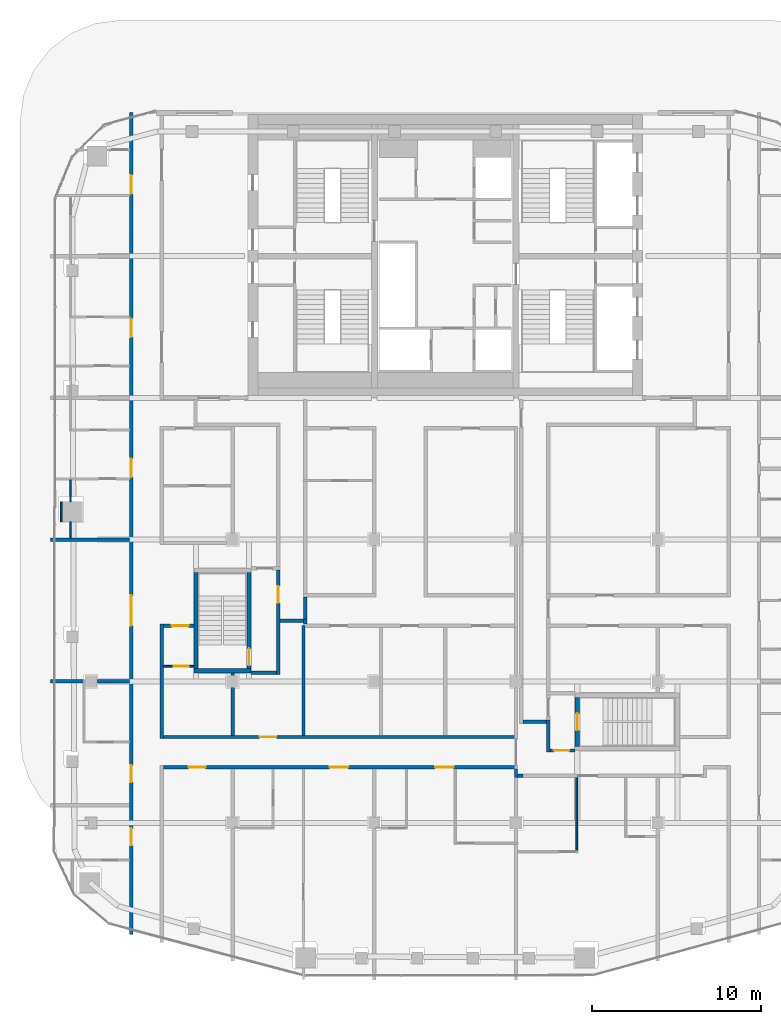
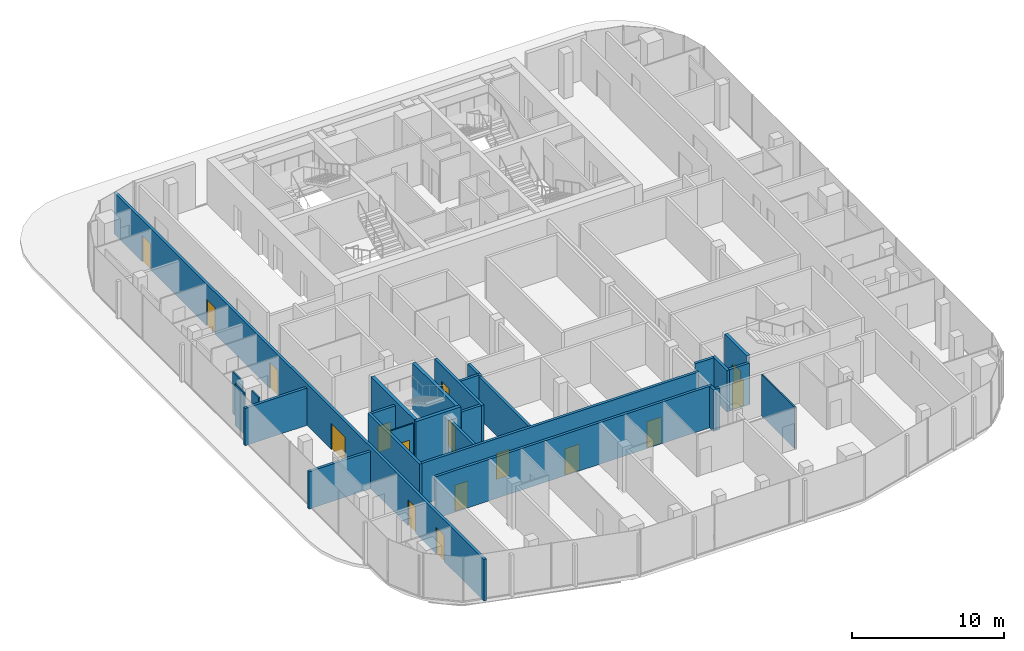
# One storey, part 14 of 21: 28 walls, 16 doors, 16 openings.
"""IFC4 building model written with IfcOpenShell, lengths in metres."""

from ifc_helpers import new_model, si_unit, direction, frame, frame_2d, origin, place, context, subcontext, project, spatial, rectangle, extrude, material, layer, layer_set, type_object, element, fill, save


model = new_model("IFC4")

# Units and contexts
model_context = context("Model", 3, precision=1e-05, world=origin(), true_north=direction((0.0, 1.0)))
body_context = subcontext(model_context, "Body", "Model", "MODEL_VIEW")
ifc_project = project(units=[si_unit("LENGTHUNIT", "METRE"), si_unit("AREAUNIT", "SQUARE_METRE"), si_unit("VOLUMEUNIT", "CUBIC_METRE"), si_unit("PLANEANGLEUNIT", "RADIAN"), si_unit("MASSUNIT", "GRAM", prefix="KILO")], contexts=[model_context])

# Site, building, storey
site_placement = place(None, origin())
site = spatial("IfcSite", under=ifc_project, at=site_placement, CompositionType="ELEMENT")
building_placement = place(site_placement, origin())
building = spatial("IfcBuilding", under=site, at=building_placement, Name="Marenta Gate Hotel Tower", CompositionType="ELEMENT")
storey_placement = place(building_placement, frame((0.0, 0.0, 266.89990234375)))
storey = spatial("IfcBuildingStorey", under=building, at=storey_placement, Name="L61", CompositionType="ELEMENT", Elevation=266.89990234375)

# Wall
ifc_material_1 = material(Name="Concrete blockwork", Category="masonry")
ifc_layer_1 = layer(ifc_material_1, 0.199951171875)
ifc_layer_set_1 = layer_set([ifc_layer_1], Name="Concrete blockwork")
wall_type_1 = type_object("IfcWallType", Name="Compartment wall 200 REI 180", PredefinedType="PARTITIONING", material=ifc_layer_set_1)
wall_1_placement = place(storey_placement, frame((4.199951171875, -22.5, 0.0), z_axis=(0.0, 0.0, 1.0), x_axis=(0.0, 1.0, 0.0)))
element("IfcWall", 1, at=wall_1_placement, inside=storey, type_object=wall_type_1, Name="L61-PTN-W065", PredefinedType="PARTITIONING", context=body_context, shape_type="SweptSolid", body=[
    extrude(rectangle(XDim=0.5, YDim=0.199951171875, at=frame_2d((0.25, 0.0))), origin(), (0.0, 0.0, 1.0), 3.340087890625),
])

# Wall, opening, door
ifc_material_2 = material(Name="Concrete C40", Category="concrete")
ifc_layer_2 = layer(ifc_material_2, 0.25)
ifc_layer_set_2 = layer_set([ifc_layer_2], Name="Concrete C40")
wall_type_2 = type_object("IfcWallType", Name="Remote stair enclosure wall 250 REI 180", PredefinedType="SHEAR", material=ifc_layer_set_2)
wall_2_placement = place(storey_placement, frame((7.824951171875, -20.64990234375, -0.260009765625), z_axis=(0.0, 0.0, 1.0), x_axis=(0.0, 1.0, 0.0)))
wall_2 = element("IfcWall", 2, at=wall_2_placement, inside=storey, type_object=wall_type_2, Name="L61-RS-Z4-1-W3", PredefinedType="SHEAR", context=body_context, shape_type="SweptSolid", body=[
    extrude(rectangle(XDim=2.89990234375, YDim=0.25, at=frame_2d((1.449951171875, 0.0))), origin(), (0.0, 0.0, 1.0), 3.960205078125),
])
opening_1_placement = place(wall_2_placement, frame((0.949951171875, 0.0, 0.0)))
opening_1 = element("IfcOpeningElement", 3, at=opening_1_placement, cuts=wall_2, Name="Opening VD", PredefinedType="OPENING", context=body_context, shape_type="SweptSolid", body=[
    extrude(rectangle(XDim=1.0, YDim=2.10009765625, at=frame_2d((0.5, 1.050048828125))), frame((0.0, 0.125, 0.0), z_axis=(0.0, -1.0, 0.0), x_axis=(1.0, 0.0, 0.0)), (0.0, 0.0, 1.0), 0.25),
])
ifc_material_3 = material(Name="Steel", Category="steel")
door_type_1 = type_object("IfcDoorType", Name="Stair vestibule door 1000x2100 FD60", OperationType="SINGLE_SWING_LEFT", PredefinedType="DOOR", material=ifc_material_3)
door_1_placement = place(opening_1_placement, origin())
door_1 = element("IfcDoor", 4, at=door_1_placement, inside=storey, type_object=door_type_1, Name="VD", OperationType="SINGLE_SWING_LEFT", OverallHeight=2.10009765625, OverallWidth=1.0, PredefinedType="DOOR", context=body_context, shape_type="SweptSolid", body=[
    extrude(rectangle(XDim=1.0, YDim=2.10009765625, at=frame_2d((0.5, 1.050048828125))), frame((0.0, 0.02490234375, 0.0), z_axis=(0.0, -1.0, 0.0), x_axis=(1.0, 0.0, 0.0)), (0.0, 0.0, 1.0), 0.050048828125),
])
fill(opening_1, door_1)

# Walls
wall_3_placement = place(storey_placement, frame((-14.89990234375, -16.175048828125, -0.260009765625), z_axis=(0.0, 0.0, 1.0), x_axis=(1.0, 0.0, 0.0)))
element("IfcWall", 5, at=wall_3_placement, inside=storey, type_object=wall_type_2, Name="L61-RS-Z4-2-W1", PredefinedType="SHEAR", context=body_context, shape_type="SweptSolid", body=[
    extrude(rectangle(XDim=3.39990234375, YDim=0.25, at=frame_2d((1.699951171875, 0.0))), origin(), (0.0, 0.0, 1.0), 3.960205078125),
])
wall_4_placement = place(storey_placement, frame((-14.77490234375, -16.050048828125, -0.260009765625), z_axis=(0.0, 0.0, 1.0), x_axis=(0.0, 1.0, 0.0)))
element("IfcWall", 6, at=wall_4_placement, inside=storey, type_object=wall_type_2, Name="L61-RS-Z4-2-W3", PredefinedType="SHEAR", context=body_context, shape_type="SweptSolid", body=[
    extrude(rectangle(XDim=5.699951171875, YDim=0.25, at=frame_2d((2.85009765625, 0.0))), origin(), (0.0, 0.0, 1.0), 3.960205078125),
])

# Wall, opening, door
wall_5_placement = place(storey_placement, frame((-11.625, -16.050048828125, -0.260009765625), z_axis=(0.0, 0.0, 1.0), x_axis=(0.0, 1.0, 0.0)))
wall_5 = element("IfcWall", 7, at=wall_5_placement, inside=storey, type_object=wall_type_2, Name="L61-RS-Z4-2-W4", PredefinedType="SHEAR", context=body_context, shape_type="SweptSolid", body=[
    extrude(rectangle(XDim=5.699951171875, YDim=0.25, at=frame_2d((2.85009765625, 0.0))), origin(), (0.0, 0.0, 1.0), 3.960205078125),
])
opening_2_placement = place(wall_5_placement, frame((0.199951171875, 0.0, 0.0)))
opening_2 = element("IfcOpeningElement", 8, at=opening_2_placement, cuts=wall_5, Name="Opening VD", PredefinedType="OPENING", context=body_context, shape_type="SweptSolid", body=[
    extrude(rectangle(XDim=1.0, YDim=2.10009765625, at=frame_2d((0.5, 1.050048828125))), frame((0.0, 0.125, 0.0), z_axis=(0.0, -1.0, 0.0), x_axis=(1.0, 0.0, 0.0)), (0.0, 0.0, 1.0), 0.25),
])
door_2_placement = place(opening_2_placement, origin())
door_2 = element("IfcDoor", 9, at=door_2_placement, inside=storey, type_object=door_type_1, Name="VD", OperationType="SINGLE_SWING_LEFT", OverallHeight=2.10009765625, OverallWidth=1.0, PredefinedType="DOOR", context=body_context, shape_type="SweptSolid", body=[
    extrude(rectangle(XDim=1.0, YDim=2.10009765625, at=frame_2d((0.5, 1.050048828125))), frame((0.0, 0.02490234375, 0.0), z_axis=(0.0, -1.0, 0.0), x_axis=(1.0, 0.0, 0.0)), (0.0, 0.0, 1.0), 0.050048828125),
])
fill(opening_2, door_2)

ifc_material_4 = material(Name="Concrete blockwork", Category="masonry")
ifc_layer_3 = layer(ifc_material_4, 0.199951171875)
ifc_layer_set_3 = layer_set([ifc_layer_3], Name="Concrete blockwork")
wall_type_3 = type_object("IfcWallType", Name="Room corridor wall 200 EI 120", PredefinedType="PARTITIONING", material=ifc_layer_set_3)
wall_6_placement = place(storey_placement, frame((-16.699951171875, -20.10009765625, 0.0), z_axis=(0.0, 0.0, 1.0), x_axis=(1.0, 0.0, 0.0)))
wall_6 = element("IfcWall", 10, at=wall_6_placement, inside=storey, type_object=wall_type_3, Name="L61-PTN-W022", PredefinedType="PARTITIONING", context=body_context, shape_type="SweptSolid", body=[
    extrude(rectangle(XDim=21.0, YDim=0.199951171875, at=frame_2d((10.5, 0.0))), origin(), (0.0, 0.0, 1.0), 3.340087890625),
])
opening_3_placement = place(wall_6_placement, frame((5.699951171875, 0.0, 0.0)))
opening_3 = element("IfcOpeningElement", 11, at=opening_3_placement, cuts=wall_6, Name="Opening G22-58", PredefinedType="OPENING", context=body_context, shape_type="SweptSolid", body=[
    extrude(rectangle(XDim=1.0, YDim=2.10009765625, at=frame_2d((0.5, 1.050048828125))), frame((0.0, 0.10009765625, 0.0), z_axis=(0.0, -1.0, 0.0), x_axis=(1.0, 0.0, 0.0)), (0.0, 0.0, 1.0), 0.199951171875),
])
ifc_material_5 = material(Name="Timber door leaf", Category="wood")
door_type_2 = type_object("IfcDoorType", Name="Room amenity door 1000x2100 EI 60", OperationType="NOTDEFINED", PredefinedType="DOOR", material=ifc_material_5)
door_3_placement = place(opening_3_placement, origin())
door_3 = element("IfcDoor", 12, at=door_3_placement, inside=storey, type_object=door_type_2, Name="L61-PD-D058", OperationType="SINGLE_SWING_LEFT", OverallHeight=2.10009765625, OverallWidth=1.0, PredefinedType="DOOR", context=body_context, shape_type="SweptSolid", body=[
    extrude(rectangle(XDim=1.0, YDim=2.10009765625, at=frame_2d((0.5, 1.050048828125))), frame((0.0, 0.02490234375, 0.0), z_axis=(0.0, -1.0, 0.0), x_axis=(1.0, 0.0, 0.0)), (0.0, 0.0, 1.0), 0.050048828125),
])
fill(opening_3, door_3)

wall_7_placement = place(storey_placement, frame((-16.699951171875, -13.5, 0.0), z_axis=(0.0, 0.0, 1.0), x_axis=(1.0, 0.0, 0.0)))
wall_7 = element("IfcWall", 13, at=wall_7_placement, inside=storey, type_object=wall_type_3, Name="L61-PTN-W038", PredefinedType="PARTITIONING", context=body_context, shape_type="SweptSolid", body=[
    extrude(rectangle(XDim=1.800048828125, YDim=0.199951171875, at=frame_2d((0.89990234375, 0.0))), origin(), (0.0, 0.0, 1.0), 3.340087890625),
])
opening_4_placement = place(wall_7_placement, frame((0.5, 0.0, 0.0)))
opening_4 = element("IfcOpeningElement", 14, at=opening_4_placement, cuts=wall_7, Name="Opening G22-07", PredefinedType="OPENING", context=body_context, shape_type="SweptSolid", body=[
    extrude(rectangle(XDim=1.0, YDim=2.10009765625, at=frame_2d((0.5, 1.050048828125))), frame((0.0, 0.10009765625, 0.0), z_axis=(0.0, -1.0, 0.0), x_axis=(1.0, 0.0, 0.0)), (0.0, 0.0, 1.0), 0.199951171875),
])
ifc_material_6 = material(Name="Hollow steel door set", Category="steel")
door_type_3 = type_object("IfcDoorType", Name="Room service door 1000x2100 EI 60", OperationType="NOTDEFINED", PredefinedType="DOOR", material=ifc_material_6)
door_4_placement = place(opening_4_placement, origin())
door_4 = element("IfcDoor", 15, at=door_4_placement, inside=storey, type_object=door_type_3, Name="L61-PD-D007", OperationType="SINGLE_SWING_RIGHT", OverallHeight=2.10009765625, OverallWidth=1.0, PredefinedType="DOOR", context=body_context, shape_type="SweptSolid", body=[
    extrude(rectangle(XDim=1.0, YDim=2.10009765625, at=frame_2d((0.5, 1.050048828125))), frame((0.0, 0.02490234375, 0.0), z_axis=(0.0, -1.0, 0.0), x_axis=(1.0, 0.0, 0.0)), (0.0, 0.0, 1.0), 0.050048828125),
])
fill(opening_4, door_4)

# Wall
wall_8_placement = place(storey_placement, frame((-16.800048828125, -20.199951171875, 0.0), z_axis=(0.0, 0.0, 1.0), x_axis=(0.0, 1.0, 0.0)))
element("IfcWall", 16, at=wall_8_placement, inside=storey, type_object=wall_type_3, Name="L61-PTN-W109", PredefinedType="PARTITIONING", context=body_context, shape_type="SweptSolid", body=[
    extrude(rectangle(XDim=6.800048828125, YDim=0.199951171875, at=frame_2d((3.39990234375, 0.0))), origin(), (0.0, 0.0, 1.0), 3.340087890625),
])

# Wall, openings, doors
ifc_material_7 = material(Name="Gypsum board on steel stud", Category="steel")
ifc_layer_4 = layer(ifc_material_7, 0.199951171875)
ifc_layer_set_4 = layer_set([ifc_layer_4], Name="Gypsum board on steel stud")
wall_type_4 = type_object("IfcWallType", Name="Room corridor wall 200 EI 60", PredefinedType="PARTITIONING", material=ifc_layer_set_4)
wall_9_placement = place(storey_placement, frame((-16.699951171875, -21.89990234375, 0.0), z_axis=(0.0, 0.0, 1.0), x_axis=(1.0, 0.0, 0.0)))
wall_9 = element("IfcWall", 17, at=wall_9_placement, inside=storey, type_object=wall_type_4, Name="L61-PTN-W016", PredefinedType="PARTITIONING", context=body_context, shape_type="SweptSolid", body=[
    extrude(rectangle(XDim=21.0, YDim=0.199951171875, at=frame_2d((10.5, 0.0))), origin(), (0.0, 0.0, 1.0), 3.340087890625),
])
opening_5_placement = place(wall_9_placement, frame((1.5, 0.0, 0.0)))
opening_5 = element("IfcOpeningElement", 18, at=opening_5_placement, cuts=wall_9, Name="Opening G22-28", PredefinedType="OPENING", context=body_context, shape_type="SweptSolid", body=[
    extrude(rectangle(XDim=1.0, YDim=2.10009765625, at=frame_2d((0.5, 1.050048828125))), frame((0.0, 0.10009765625, 0.0), z_axis=(0.0, -1.0, 0.0), x_axis=(1.0, 0.0, 0.0)), (0.0, 0.0, 1.0), 0.199951171875),
])
opening_6_placement = place(wall_9_placement, frame((9.85009765625, 0.0, 0.0)))
opening_6 = element("IfcOpeningElement", 19, at=opening_6_placement, cuts=wall_9, Name="Opening G22-29", PredefinedType="OPENING", context=body_context, shape_type="SweptSolid", body=[
    extrude(rectangle(XDim=1.10009765625, YDim=2.10009765625, at=frame_2d((0.550048828125, 1.050048828125))), frame((0.0, 0.10009765625, 0.0), z_axis=(0.0, -1.0, 0.0), x_axis=(1.0, 0.0, 0.0)), (0.0, 0.0, 1.0), 0.199951171875),
])
opening_7_placement = place(wall_9_placement, frame((16.10009765625, 0.0, 0.0)))
opening_7 = element("IfcOpeningElement", 20, at=opening_7_placement, cuts=wall_9, Name="Opening G22-32", PredefinedType="OPENING", context=body_context, shape_type="SweptSolid", body=[
    extrude(rectangle(XDim=1.10009765625, YDim=2.10009765625, at=frame_2d((0.550048828125, 1.050048828125))), frame((0.0, 0.10009765625, 0.0), z_axis=(0.0, -1.0, 0.0), x_axis=(1.0, 0.0, 0.0)), (0.0, 0.0, 1.0), 0.199951171875),
])
ifc_material_8 = material(Name="Timber door leaf", Category="wood")
door_type_4 = type_object("IfcDoorType", Name="Guest room door 1100x2100 EI 30", OperationType="NOTDEFINED", PredefinedType="DOOR", material=ifc_material_8)
door_5_placement = place(opening_6_placement, origin())
door_5 = element("IfcDoor", 21, at=door_5_placement, inside=storey, type_object=door_type_4, Name="L61-PD-D029", OperationType="SINGLE_SWING_LEFT", OverallHeight=2.10009765625, OverallWidth=1.10009765625, PredefinedType="DOOR", context=body_context, shape_type="SweptSolid", body=[
    extrude(rectangle(XDim=1.10009765625, YDim=2.10009765625, at=frame_2d((0.550048828125, 1.050048828125))), frame((0.0, 0.02490234375, 0.0), z_axis=(0.0, -1.0, 0.0), x_axis=(1.0, 0.0, 0.0)), (0.0, 0.0, 1.0), 0.050048828125),
])
fill(opening_6, door_5)
door_6_placement = place(opening_7_placement, origin())
door_6 = element("IfcDoor", 22, at=door_6_placement, inside=storey, type_object=door_type_4, Name="L61-PD-D032", OperationType="SINGLE_SWING_LEFT", OverallHeight=2.10009765625, OverallWidth=1.10009765625, PredefinedType="DOOR", context=body_context, shape_type="SweptSolid", body=[
    extrude(rectangle(XDim=1.10009765625, YDim=2.10009765625, at=frame_2d((0.550048828125, 1.050048828125))), frame((0.0, 0.02490234375, 0.0), z_axis=(0.0, -1.0, 0.0), x_axis=(1.0, 0.0, 0.0)), (0.0, 0.0, 1.0), 0.050048828125),
])
fill(opening_7, door_6)
ifc_material_9 = material(Name="Timber door leaf", Category="wood")
door_type_5 = type_object("IfcDoorType", Name="Room amenity door 1000x2100 EI 30", OperationType="NOTDEFINED", PredefinedType="DOOR", material=ifc_material_9)
door_7_placement = place(opening_5_placement, origin())
door_7 = element("IfcDoor", 23, at=door_7_placement, inside=storey, type_object=door_type_5, Name="L61-PD-D028", OperationType="SINGLE_SWING_LEFT", OverallHeight=2.10009765625, OverallWidth=1.0, PredefinedType="DOOR", context=body_context, shape_type="SweptSolid", body=[
    extrude(rectangle(XDim=1.0, YDim=2.10009765625, at=frame_2d((0.5, 1.050048828125))), frame((0.0, 0.02490234375, 0.0), z_axis=(0.0, -1.0, 0.0), x_axis=(1.0, 0.0, 0.0)), (0.0, 0.0, 1.0), 0.050048828125),
])
fill(opening_5, door_7)

# Wall
wall_10_placement = place(storey_placement, frame((-8.300048828125, -13.39990234375, 0.0), z_axis=(0.0, 0.0, 1.0), x_axis=(0.0, 1.0, 0.0)))
element("IfcWall", 24, at=wall_10_placement, inside=storey, type_object=wall_type_4, Name="L61-PTN-W089", PredefinedType="PARTITIONING", context=body_context, shape_type="SweptSolid", body=[
    extrude(rectangle(XDim=0.2998046875, YDim=0.199951171875, at=frame_2d((0.14990234375, 0.0))), origin(), (0.0, 0.0, 1.0), 3.340087890625),
])

# Wall, openings, doors
wall_11_placement = place(storey_placement, frame((-18.60009765625, -31.7939453125, 0.0), z_axis=(0.0, 0.0, 1.0), x_axis=(0.0, 1.0, 0.0)))
wall_11 = element("IfcWall", 25, at=wall_11_placement, inside=storey, type_object=wall_type_4, Name="L61-PTN-W111", PredefinedType="PARTITIONING", context=body_context, shape_type="SweptSolid", body=[
    extrude(rectangle(XDim=48.697021484375, YDim=0.199951171875, at=frame_2d((24.3486328125, 0.0))), origin(), (0.0, 0.0, 1.0), 3.340087890625),
])
opening_8_placement = place(wall_11_placement, frame((5.27392578125, 0.0, 0.0)))
opening_8 = element("IfcOpeningElement", 26, at=opening_8_placement, cuts=wall_11, Name="Opening G22-39", PredefinedType="OPENING", context=body_context, shape_type="SweptSolid", body=[
    extrude(rectangle(XDim=1.0, YDim=2.10009765625, at=frame_2d((0.5, 1.050048828125))), frame((0.0, 0.10009765625, 0.0), z_axis=(0.0, -1.0, 0.0), x_axis=(1.0, 0.0, 0.0)), (0.0, 0.0, 1.0), 0.199951171875),
])
opening_9_placement = place(wall_11_placement, frame((9.02099609375, 0.0, 0.0)))
opening_9 = element("IfcOpeningElement", 27, at=opening_9_placement, cuts=wall_11, Name="Opening G22-41", PredefinedType="OPENING", context=body_context, shape_type="SweptSolid", body=[
    extrude(rectangle(XDim=1.0, YDim=2.10009765625, at=frame_2d((0.5, 1.050048828125))), frame((0.0, 0.10009765625, 0.0), z_axis=(0.0, -1.0, 0.0), x_axis=(1.0, 0.0, 0.0)), (0.0, 0.0, 1.0), 0.199951171875),
])
opening_10_placement = place(wall_11_placement, frame((18.2939453125, 0.0, 0.0)))
opening_10 = element("IfcOpeningElement", 28, at=opening_10_placement, cuts=wall_11, Name="Opening G22-43", PredefinedType="OPENING", context=body_context, shape_type="SweptSolid", body=[
    extrude(rectangle(XDim=1.800048828125, YDim=2.10009765625, at=frame_2d((0.89990234375, 1.050048828125))), frame((0.0, 0.10009765625, 0.0), z_axis=(0.0, -1.0, 0.0), x_axis=(1.0, 0.0, 0.0)), (0.0, 0.0, 1.0), 0.199951171875),
])
opening_11_placement = place(wall_11_placement, frame((27.093994140625, 0.0, 0.0)))
opening_11 = element("IfcOpeningElement", 29, at=opening_11_placement, cuts=wall_11, Name="Opening G22-44", PredefinedType="OPENING", context=body_context, shape_type="SweptSolid", body=[
    extrude(rectangle(XDim=1.10009765625, YDim=2.10009765625, at=frame_2d((0.550048828125, 1.050048828125))), frame((0.0, 0.10009765625, 0.0), z_axis=(0.0, -1.0, 0.0), x_axis=(1.0, 0.0, 0.0)), (0.0, 0.0, 1.0), 0.199951171875),
])
opening_12_placement = place(wall_11_placement, frame((35.39404296875, 0.0, 0.0)))
opening_12 = element("IfcOpeningElement", 30, at=opening_12_placement, cuts=wall_11, Name="Opening G22-47", PredefinedType="OPENING", context=body_context, shape_type="SweptSolid", body=[
    extrude(rectangle(XDim=1.10009765625, YDim=2.10009765625, at=frame_2d((0.550048828125, 1.050048828125))), frame((0.0, 0.10009765625, 0.0), z_axis=(0.0, -1.0, 0.0), x_axis=(1.0, 0.0, 0.0)), (0.0, 0.0, 1.0), 0.199951171875),
])
opening_13_placement = place(wall_11_placement, frame((43.89404296875, 0.0, 0.0)))
opening_13 = element("IfcOpeningElement", 31, at=opening_13_placement, cuts=wall_11, Name="Opening G22-50", PredefinedType="OPENING", context=body_context, shape_type="SweptSolid", body=[
    extrude(rectangle(XDim=1.10009765625, YDim=2.10009765625, at=frame_2d((0.550048828125, 1.050048828125))), frame((0.0, 0.10009765625, 0.0), z_axis=(0.0, -1.0, 0.0), x_axis=(1.0, 0.0, 0.0)), (0.0, 0.0, 1.0), 0.199951171875),
])
ifc_material_10 = material(Name="Timber door leaf", Category="wood")
door_type_6 = type_object("IfcDoorType", Name="Guest room door 1000x2100 EI 30", OperationType="NOTDEFINED", PredefinedType="DOOR", material=ifc_material_10)
door_8_placement = place(opening_8_placement, origin())
door_8 = element("IfcDoor", 32, at=door_8_placement, inside=storey, type_object=door_type_6, Name="L61-PD-D039", OperationType="SINGLE_SWING_LEFT", OverallHeight=2.10009765625, OverallWidth=1.0, PredefinedType="DOOR", context=body_context, shape_type="SweptSolid", body=[
    extrude(rectangle(XDim=1.0, YDim=2.10009765625, at=frame_2d((0.5, 1.050048828125))), frame((0.0, 0.02490234375, 0.0), z_axis=(0.0, -1.0, 0.0), x_axis=(1.0, 0.0, 0.0)), (0.0, 0.0, 1.0), 0.050048828125),
])
fill(opening_8, door_8)
door_9_placement = place(opening_9_placement, origin())
door_9 = element("IfcDoor", 33, at=door_9_placement, inside=storey, type_object=door_type_6, Name="L61-PD-D041", OperationType="SINGLE_SWING_RIGHT", OverallHeight=2.10009765625, OverallWidth=1.0, PredefinedType="DOOR", context=body_context, shape_type="SweptSolid", body=[
    extrude(rectangle(XDim=1.0, YDim=2.10009765625, at=frame_2d((0.5, 1.050048828125))), frame((0.0, 0.02490234375, 0.0), z_axis=(0.0, -1.0, 0.0), x_axis=(1.0, 0.0, 0.0)), (0.0, 0.0, 1.0), 0.050048828125),
])
fill(opening_9, door_9)
door_10_placement = place(opening_11_placement, origin())
door_10 = element("IfcDoor", 34, at=door_10_placement, inside=storey, type_object=door_type_4, Name="L61-PD-D044", OperationType="SINGLE_SWING_LEFT", OverallHeight=2.10009765625, OverallWidth=1.10009765625, PredefinedType="DOOR", context=body_context, shape_type="SweptSolid", body=[
    extrude(rectangle(XDim=1.10009765625, YDim=2.10009765625, at=frame_2d((0.550048828125, 1.050048828125))), frame((0.0, 0.02490234375, 0.0), z_axis=(0.0, -1.0, 0.0), x_axis=(1.0, 0.0, 0.0)), (0.0, 0.0, 1.0), 0.050048828125),
])
fill(opening_11, door_10)
door_11_placement = place(opening_12_placement, origin())
door_11 = element("IfcDoor", 35, at=door_11_placement, inside=storey, type_object=door_type_4, Name="L61-PD-D047", OperationType="SINGLE_SWING_RIGHT", OverallHeight=2.10009765625, OverallWidth=1.10009765625, PredefinedType="DOOR", context=body_context, shape_type="SweptSolid", body=[
    extrude(rectangle(XDim=1.10009765625, YDim=2.10009765625, at=frame_2d((0.550048828125, 1.050048828125))), frame((0.0, 0.02490234375, 0.0), z_axis=(0.0, -1.0, 0.0), x_axis=(1.0, 0.0, 0.0)), (0.0, 0.0, 1.0), 0.050048828125),
])
fill(opening_12, door_11)
door_12_placement = place(opening_13_placement, origin())
door_12 = element("IfcDoor", 36, at=door_12_placement, inside=storey, type_object=door_type_4, Name="L61-PD-D050", OperationType="SINGLE_SWING_LEFT", OverallHeight=2.10009765625, OverallWidth=1.10009765625, PredefinedType="DOOR", context=body_context, shape_type="SweptSolid", body=[
    extrude(rectangle(XDim=1.10009765625, YDim=2.10009765625, at=frame_2d((0.550048828125, 1.050048828125))), frame((0.0, 0.02490234375, 0.0), z_axis=(0.0, -1.0, 0.0), x_axis=(1.0, 0.0, 0.0)), (0.0, 0.0, 1.0), 0.050048828125),
])
fill(opening_13, door_12)
ifc_material_11 = material(Name="Timber door leaf", Category="wood")
door_type_7 = type_object("IfcDoorType", Name="Room amenity door 1800x2100 EI 30", OperationType="DOUBLE_DOOR_SINGLE_SWING", PredefinedType="DOOR", material=ifc_material_11)
door_13_placement = place(opening_10_placement, origin())
door_13 = element("IfcDoor", 37, at=door_13_placement, inside=storey, type_object=door_type_7, Name="L61-PD-D043", OperationType="DOUBLE_DOOR_SINGLE_SWING", OverallHeight=2.10009765625, OverallWidth=1.800048828125, PredefinedType="DOOR", context=body_context, shape_type="SweptSolid", body=[
    extrude(rectangle(XDim=1.800048828125, YDim=2.10009765625, at=frame_2d((0.89990234375, 1.050048828125))), frame((0.0, 0.02490234375, 0.0), z_axis=(0.0, -1.0, 0.0), x_axis=(1.0, 0.0, 0.0)), (0.0, 0.0, 1.0), 0.050048828125),
])
fill(opening_10, door_13)

# Wall, opening, door
ifc_material_12 = material(Name="Concrete blockwork", Category="masonry")
ifc_layer_5 = layer(ifc_material_12, 0.199951171875)
ifc_layer_set_5 = layer_set([ifc_layer_5], Name="Concrete blockwork")
wall_type_5 = type_object("IfcWallType", Name="Room corridor wall 200 REI 180", PredefinedType="PARTITIONING", material=ifc_layer_set_5)
wall_12_placement = place(storey_placement, frame((6.199951171875, -20.89990234375, 0.0), z_axis=(0.0, 0.0, 1.0), x_axis=(1.0, 0.0, 0.0)))
wall_12 = element("IfcWall", 38, at=wall_12_placement, inside=storey, type_object=wall_type_5, Name="L61-PTN-W018", PredefinedType="PARTITIONING", context=body_context, shape_type="SweptSolid", body=[
    extrude(rectangle(XDim=1.5, YDim=0.199951171875, at=frame_2d((0.75, 0.0))), origin(), (0.0, 0.0, 1.0), 3.340087890625),
])
opening_14_placement = place(wall_12_placement, frame((0.25, 0.0, 0.0)))
opening_14 = element("IfcOpeningElement", 39, at=opening_14_placement, cuts=wall_12, Name="Opening G22-53", PredefinedType="OPENING", context=body_context, shape_type="SweptSolid", body=[
    extrude(rectangle(XDim=0.89990234375, YDim=2.10009765625, at=frame_2d((0.449951171875, 1.050048828125))), frame((0.0, 0.10009765625, 0.0), z_axis=(0.0, -1.0, 0.0), x_axis=(1.0, 0.0, 0.0)), (0.0, 0.0, 1.0), 0.199951171875),
])
ifc_material_13 = material(Name="Hollow steel door set", Category="steel")
door_type_8 = type_object("IfcDoorType", Name="Stair vestibule door 900x2100 EI 60", OperationType="NOTDEFINED", PredefinedType="DOOR", material=ifc_material_13)
door_14_placement = place(opening_14_placement, origin())
door_14 = element("IfcDoor", 40, at=door_14_placement, inside=storey, type_object=door_type_8, Name="L61-PD-D053", OperationType="SINGLE_SWING_LEFT", OverallHeight=2.10009765625, OverallWidth=0.89990234375, PredefinedType="DOOR", context=body_context, shape_type="SweptSolid", body=[
    extrude(rectangle(XDim=0.89990234375, YDim=2.10009765625, at=frame_2d((0.449951171875, 1.050048828125))), frame((0.0, 0.02490234375, 0.0), z_axis=(0.0, -1.0, 0.0), x_axis=(1.0, 0.0, 0.0)), (0.0, 0.0, 1.0), 0.050048828125),
])
fill(opening_14, door_14)

# Walls
wall_13_placement = place(storey_placement, frame((4.60009765625, -19.199951171875, 0.0), z_axis=(0.0, 0.0, 1.0), x_axis=(1.0, 0.0, 0.0)))
element("IfcWall", 41, at=wall_13_placement, inside=storey, type_object=wall_type_5, Name="L61-PTN-W024", PredefinedType="PARTITIONING", context=body_context, shape_type="SweptSolid", body=[
    extrude(rectangle(XDim=1.39990234375, YDim=0.199951171875, at=frame_2d((0.699951171875, 0.0))), origin(), (0.0, 0.0, 1.0), 3.340087890625),
])
wall_14_placement = place(storey_placement, frame((6.10009765625, -21.0, 0.0), z_axis=(0.0, 0.0, 1.0), x_axis=(0.0, 1.0, 0.0)))
element("IfcWall", 42, at=wall_14_placement, inside=storey, type_object=wall_type_5, Name="L61-PTN-W055", PredefinedType="PARTITIONING", context=body_context, shape_type="SweptSolid", body=[
    extrude(rectangle(XDim=1.89990234375, YDim=0.199951171875, at=frame_2d((0.949951171875, 0.0))), origin(), (0.0, 0.0, 1.0), 3.340087890625),
])
wall_15_placement = place(storey_placement, frame((-8.300048828125, -13.300048828125, 0.0), z_axis=(0.0, 0.0, 1.0), x_axis=(0.0, 1.0, 0.0)))
element("IfcWall", 43, at=wall_15_placement, inside=storey, type_object=wall_type_5, Name="L61-PTN-W090", PredefinedType="PARTITIONING", context=body_context, shape_type="SweptSolid", body=[
    extrude(rectangle(XDim=1.5, YDim=0.199951171875, at=frame_2d((0.75, 0.0))), origin(), (0.0, 0.0, 1.0), 3.340087890625),
])

# Wall, opening, door
ifc_material_14 = material(Name="Gypsum board on steel stud", Category="steel")
ifc_layer_6 = layer(ifc_material_14, 0.10009765625)
ifc_layer_set_6 = layer_set([ifc_layer_6], Name="Gypsum board on steel stud")
wall_type_6 = type_object("IfcWallType", Name="Room partition 100", PredefinedType="PARTITIONING", material=ifc_layer_set_6)
wall_16_placement = place(storey_placement, frame((-16.699951171875, -15.89990234375, 0.0), z_axis=(0.0, 0.0, 1.0), x_axis=(1.0, 0.0, 0.0)))
wall_16 = element("IfcWall", 44, at=wall_16_placement, inside=storey, type_object=wall_type_6, Name="L61-PTN-W034", PredefinedType="PARTITIONING", context=body_context, shape_type="SweptSolid", body=[
    extrude(rectangle(XDim=1.800048828125, YDim=0.10009765625, at=frame_2d((0.89990234375, 0.0))), origin(), (0.0, 0.0, 1.0), 3.340087890625),
])
opening_15_placement = place(wall_16_placement, frame((0.60009765625, 0.0, 0.0)))
opening_15 = element("IfcOpeningElement", 45, at=opening_15_placement, cuts=wall_16, Name="Opening G22-08", PredefinedType="OPENING", context=body_context, shape_type="SweptSolid", body=[
    extrude(rectangle(XDim=0.89990234375, YDim=2.10009765625, at=frame_2d((0.449951171875, 1.050048828125))), frame((0.0, 0.050048828125, 0.0), z_axis=(0.0, -1.0, 0.0), x_axis=(1.0, 0.0, 0.0)), (0.0, 0.0, 1.0), 0.10009765625),
])
ifc_material_15 = material(Name="Timber door leaf", Category="wood")
door_type_9 = type_object("IfcDoorType", Name="Room inner door 900x2100", OperationType="NOTDEFINED", PredefinedType="DOOR", material=ifc_material_15)
door_15_placement = place(opening_15_placement, origin())
door_15 = element("IfcDoor", 46, at=door_15_placement, inside=storey, type_object=door_type_9, Name="L61-PD-D008", OperationType="SINGLE_SWING_RIGHT", OverallHeight=2.10009765625, OverallWidth=0.89990234375, PredefinedType="DOOR", context=body_context, shape_type="SweptSolid", body=[
    extrude(rectangle(XDim=0.89990234375, YDim=2.10009765625, at=frame_2d((0.449951171875, 1.050048828125))), frame((0.0, 0.02490234375, 0.0), z_axis=(0.0, -1.0, 0.0), x_axis=(1.0, 0.0, 0.0)), (0.0, 0.0, 1.0), 0.050048828125),
])
fill(opening_15, door_15)

# Walls
wall_17_placement = place(storey_placement, frame((7.800048828125, -26.85009765625, 0.0), z_axis=(0.0, 0.0, 1.0), x_axis=(0.0, 1.0, 0.0)))
element("IfcWall", 47, at=wall_17_placement, inside=storey, type_object=wall_type_6, Name="L61-PTN-W054", PredefinedType="PARTITIONING", context=body_context, shape_type="SweptSolid", body=[
    extrude(rectangle(XDim=4.35009765625, YDim=0.10009765625, at=frame_2d((2.175048828125, 0.0))), origin(), (0.0, 0.0, 1.0), 3.340087890625),
])
wall_18_placement = place(storey_placement, frame((-22.199951171875, -8.300048828125, 0.0), z_axis=(0.0, 0.0, 1.0), x_axis=(0.0, 1.0, 0.0)))
element("IfcWall", 48, at=wall_18_placement, inside=storey, type_object=wall_type_6, Name="L61-PTN-W114", PredefinedType="PARTITIONING", context=body_context, shape_type="SweptSolid", body=[
    extrude(rectangle(XDim=0.949951171875, YDim=0.10009765625, at=frame_2d((0.47509765625, 0.0))), origin(), (0.0, 0.0, 1.0), 3.340087890625),
])
wall_19_placement = place(storey_placement, frame((-22.199951171875, -6.14990234375, 0.0), z_axis=(0.0, 0.0, 1.0), x_axis=(0.0, 1.0, 0.0)))
element("IfcWall", 49, at=wall_19_placement, inside=storey, type_object=wall_type_6, Name="L61-PTN-W120", PredefinedType="PARTITIONING", context=body_context, shape_type="SweptSolid", body=[
    extrude(rectangle(XDim=1.2998046875, YDim=0.10009765625, at=frame_2d((0.64990234375, 0.0))), origin(), (0.0, 0.0, 1.0), 3.340087890625),
])
wall_20_placement = place(storey_placement, frame((-22.75, -7.35009765625, 0.0), z_axis=(0.0, 0.0, 1.0), x_axis=(0.0, 1.0, 0.0)))
element("IfcWall", 50, at=wall_20_placement, inside=storey, type_object=wall_type_6, Name="L61-PTN-W121", PredefinedType="PARTITIONING", context=body_context, shape_type="SweptSolid", body=[
    extrude(rectangle(XDim=1.2001953125, YDim=0.10009765625, at=frame_2d((0.60009765625, 0.0))), origin(), (0.0, 0.0, 1.0), 3.340087890625),
])
ifc_material_16 = material(Name="Concrete blockwork", Category="masonry")
ifc_layer_7 = layer(ifc_material_16, 0.199951171875)
ifc_layer_set_7 = layer_set([ifc_layer_7], Name="Concrete blockwork")
wall_type_7 = type_object("IfcWallType", Name="Room party wall 200 EI 120", PredefinedType="PARTITIONING", material=ifc_layer_set_7)
wall_21_placement = place(storey_placement, frame((-12.60009765625, -20.0, 0.0), z_axis=(0.0, 0.0, 1.0), x_axis=(0.0, 1.0, 0.0)))
element("IfcWall", 51, at=wall_21_placement, inside=storey, type_object=wall_type_7, Name="L61-PTN-W103", PredefinedType="PARTITIONING", context=body_context, shape_type="SweptSolid", body=[
    extrude(rectangle(XDim=3.699951171875, YDim=0.199951171875, at=frame_2d((1.85009765625, 0.0))), origin(), (0.0, 0.0, 1.0), 3.340087890625),
])
ifc_material_17 = material(Name="Gypsum board on steel stud", Category="steel")
ifc_layer_8 = layer(ifc_material_17, 0.199951171875)
ifc_layer_set_8 = layer_set([ifc_layer_8], Name="Gypsum board on steel stud")
wall_type_8 = type_object("IfcWallType", Name="Room party wall 200 EI 60", PredefinedType="PARTITIONING", material=ifc_layer_set_8)
wall_22_placement = place(storey_placement, frame((4.300048828125, -22.39990234375, 0.0), z_axis=(0.0, 0.0, 1.0), x_axis=(1.0, 0.0, 0.0)))
element("IfcWall", 52, at=wall_22_placement, inside=storey, type_object=wall_type_8, Name="L61-PTN-W010", PredefinedType="PARTITIONING", context=body_context, shape_type="SweptSolid", body=[
    extrude(rectangle(XDim=0.300048828125, YDim=0.199951171875, at=frame_2d((0.14990234375, 0.0))), origin(), (0.0, 0.0, 1.0), 3.340087890625),
])
for number, where, z_axis, x_axis, name in (
    (53, (-23.39990234375, -16.800048828125, 0.0), (0.0, 0.0, 1.0), (1.0, 0.0, 0.0), "L61-PTN-W031"),
    (54, (-23.39990234375, -8.39990234375, 0.0), (0.0, 0.0, 1.0), (1.0, 0.0, 0.0), "L61-PTN-W052"),
):
    element("IfcWall", number, at=place(storey_placement, frame(where, z_axis=z_axis, x_axis=x_axis)), inside=storey, type_object=wall_type_8, Name=name, PredefinedType="PARTITIONING", context=body_context, shape_type="SweptSolid", body=[
        extrude(rectangle(XDim=4.699951171875, YDim=0.199951171875, at=frame_2d((2.35009765625, 0.0))), origin(), (0.0, 0.0, 1.0), 3.0),
    ])
wall_23_placement = place(storey_placement, frame((-8.39990234375, -20.0, 0.0), z_axis=(0.0, 0.0, 1.0), x_axis=(0.0, 1.0, 0.0)))
element("IfcWall", 55, at=wall_23_placement, inside=storey, type_object=wall_type_8, Name="L61-PTN-W094", PredefinedType="PARTITIONING", context=body_context, shape_type="SweptSolid", body=[
    extrude(rectangle(XDim=6.5, YDim=0.199951171875, at=frame_2d((3.25, 0.0))), origin(), (0.0, 0.0, 1.0), 3.340087890625),
])
ifc_material_18 = material(Name="Concrete blockwork", Category="masonry")
ifc_layer_9 = layer(ifc_material_18, 0.199951171875)
ifc_layer_set_9 = layer_set([ifc_layer_9], Name="Concrete blockwork")
wall_type_9 = type_object("IfcWallType", Name="Room party wall 200 REI 180", PredefinedType="PARTITIONING", material=ifc_layer_set_9)
wall_24_placement = place(storey_placement, frame((-11.5, -16.300048828125, 0.0), z_axis=(0.0, 0.0, 1.0), x_axis=(1.0, 0.0, 0.0)))
element("IfcWall", 56, at=wall_24_placement, inside=storey, type_object=wall_type_9, Name="L61-PTN-W033", PredefinedType="PARTITIONING", context=body_context, shape_type="SweptSolid", body=[
    extrude(rectangle(XDim=1.5, YDim=0.199951171875, at=frame_2d((0.75, 0.0))), origin(), (0.0, 0.0, 1.0), 3.340087890625),
])
wall_25_placement = place(storey_placement, frame((-9.800048828125, -13.199951171875, 0.0), z_axis=(0.0, 0.0, 1.0), x_axis=(1.0, 0.0, 0.0)))
element("IfcWall", 57, at=wall_25_placement, inside=storey, type_object=wall_type_9, Name="L61-PTN-W041", PredefinedType="PARTITIONING", context=body_context, shape_type="SweptSolid", body=[
    extrude(rectangle(XDim=1.400146484375, YDim=0.199951171875, at=frame_2d((0.7001953125, 0.0))), origin(), (0.0, 0.0, 1.0), 3.340087890625),
])

# Wall, opening, door
wall_26_placement = place(storey_placement, frame((-9.89990234375, -16.39990234375, 0.0), z_axis=(0.0, 0.0, 1.0), x_axis=(0.0, 1.0, 0.0)))
wall_26 = element("IfcWall", 58, at=wall_26_placement, inside=storey, type_object=wall_type_9, Name="L61-PTN-W097", PredefinedType="PARTITIONING", context=body_context, shape_type="SweptSolid", body=[
    extrude(rectangle(XDim=6.199951171875, YDim=0.199951171875, at=frame_2d((3.10009765625, 0.0))), origin(), (0.0, 0.0, 1.0), 3.340087890625),
])
opening_16_placement = place(wall_26_placement, frame((4.25, 0.0, 0.0)))
opening_16 = element("IfcOpeningElement", 59, at=opening_16_placement, cuts=wall_26, Name="Opening G22-56", PredefinedType="OPENING", context=body_context, shape_type="SweptSolid", body=[
    extrude(rectangle(XDim=1.0, YDim=2.10009765625, at=frame_2d((0.5, 1.050048828125))), frame((0.0, 0.10009765625, 0.0), z_axis=(0.0, -1.0, 0.0), x_axis=(1.0, 0.0, 0.0)), (0.0, 0.0, 1.0), 0.199951171875),
])
ifc_material_19 = material(Name="Hollow steel door set", Category="steel")
door_type_10 = type_object("IfcDoorType", Name="Stair vestibule door 1000x2100 EI 60", OperationType="NOTDEFINED", PredefinedType="DOOR", material=ifc_material_19)
door_16_placement = place(opening_16_placement, origin())
door_16 = element("IfcDoor", 60, at=door_16_placement, inside=storey, type_object=door_type_10, Name="L61-PD-D056", OperationType="SINGLE_SWING_RIGHT", OverallHeight=2.10009765625, OverallWidth=1.0, PredefinedType="DOOR", context=body_context, shape_type="SweptSolid", body=[
    extrude(rectangle(XDim=1.0, YDim=2.10009765625, at=frame_2d((0.5, 1.050048828125))), frame((0.0, 0.02490234375, 0.0), z_axis=(0.0, -1.0, 0.0), x_axis=(1.0, 0.0, 0.0)), (0.0, 0.0, 1.0), 0.050048828125),
])
fill(opening_16, door_16)

save(model, "model.ifc")
